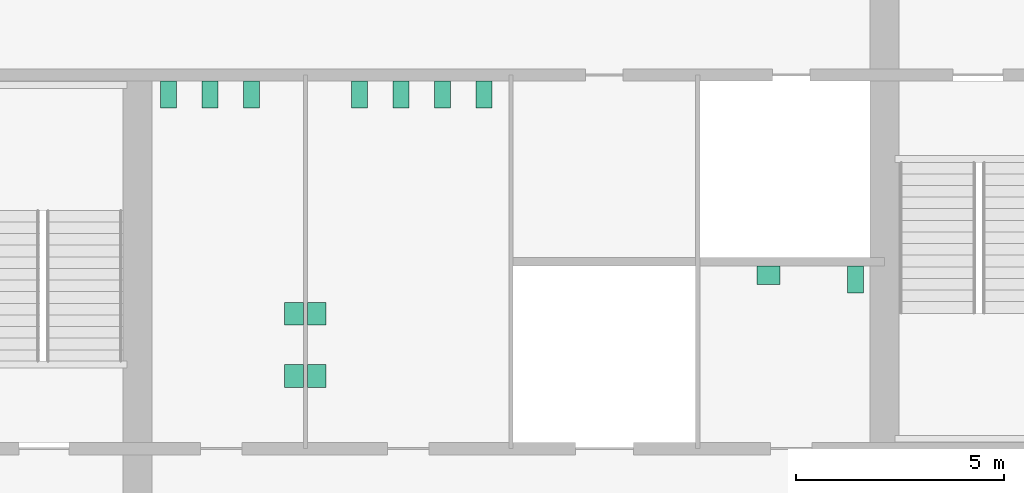
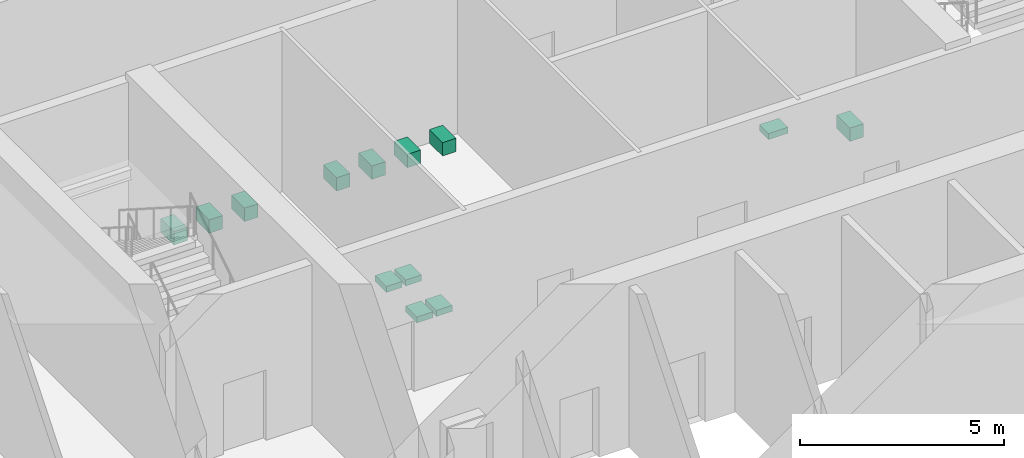
# One storey, part 14 of 14: 13 sanitary terminals.
"""IFC4 building model written with IfcOpenShell, lengths in metres."""

from ifc_helpers import new_model, si_unit, direction, frame, origin, origin_2d, place, context, subcontext, project, spatial, rectangle, extrude, material, type_object, element, save


model = new_model("IFC4")

# Units and contexts
model_context = context("Model", 3, precision=1e-05, world=origin(), true_north=direction((0.0, 1.0)))
body_context = subcontext(model_context, "Body", "Model", "MODEL_VIEW")
ifc_project = project(units=[si_unit("LENGTHUNIT", "METRE"), si_unit("AREAUNIT", "SQUARE_METRE"), si_unit("VOLUMEUNIT", "CUBIC_METRE"), si_unit("PLANEANGLEUNIT", "RADIAN"), si_unit("MASSUNIT", "GRAM", prefix="KILO")], contexts=[model_context])

# Site, building, storey
site_placement = place(None, origin())
site = spatial("IfcSite", under=ifc_project, at=site_placement, CompositionType="ELEMENT")
building_placement = place(site_placement, origin())
building = spatial("IfcBuilding", under=site, at=building_placement, Name="Corais Broadcast Tower", CompositionType="ELEMENT")
storey_placement = place(building_placement, frame((0.0, 0.0, 18.0)))
storey = spatial("IfcBuildingStorey", under=building, at=storey_placement, Name="L03", CompositionType="ELEMENT", Elevation=18.0)

# Sanitary terminals
ifc_material_1 = material(Name="Vitreous china", Category="ceramic")
sanitary_terminal_type_1 = type_object("IfcSanitaryTerminalType", Name="WC pan 380x650", PredefinedType="TOILETPAN", material=ifc_material_1)
for number, where, z_axis, x_axis, name in (
    (1, (18.75, 31.02490234375, 0.0), (0.0, 0.0, 1.0), (1.0, 0.0, 0.0), "SW1 WC pan, male toilets L03"),
    (2, (19.75, 31.02490234375, 0.0), (0.0, 0.0, 1.0), (1.0, 0.0, 0.0), "SW1 WC pan, male toilets L03"),
    (3, (20.75, 31.02490234375, 0.0), (0.0, 0.0, 1.0), (1.0, 0.0, 0.0), "SW1 WC pan, male toilets L03"),
    (4, (23.35009765625, 31.02490234375, 0.0), (0.0, 0.0, 1.0), (1.0, 0.0, 0.0), "SW1 WC pan, female toilets L03"),
    (5, (24.35009765625, 31.02490234375, 0.0), (0.0, 0.0, 1.0), (1.0, 0.0, 0.0), "SW1 WC pan, female toilets L03"),
    (6, (25.35009765625, 31.02490234375, 0.0), (0.0, 0.0, 1.0), (1.0, 0.0, 0.0), "SW1 WC pan, female toilets L03"),
    (7, (26.35009765625, 31.02490234375, 0.0), (0.0, 0.0, 1.0), (1.0, 0.0, 0.0), "SW1 WC pan, female toilets L03"),
    (8, (35.300048828125, 26.574951171875, 0.0), (0.0, 0.0, 1.0), (1.0, 0.0, 0.0), "SW1 WC pan, accessible WC L03"),
):
    element("IfcSanitaryTerminal", number, at=place(storey_placement, frame(where, z_axis=z_axis, x_axis=x_axis)), inside=storey, type_object=sanitary_terminal_type_1, Name=name, PredefinedType="TOILETPAN", context=body_context, shape_type="SweptSolid", body=[
        extrude(rectangle(XDim=0.3798828125, YDim=0.64990234375, at=origin_2d()), origin(), (0.0, 0.0, 1.0), 0.39990234375),
    ])
ifc_material_2 = material(Name="Vitreous china", Category="ceramic")
sanitary_terminal_type_2 = type_object("IfcSanitaryTerminalType", Name="Wash basin 550x450", PredefinedType="WASHHANDBASIN", material=ifc_material_2)
for number, where, z_axis, x_axis, name in (
    (9, (21.77490234375, 24.25, 0.7001953125), (0.0, 0.0, 1.0), (1.0, 0.0, 0.0), "WB1 wash basin, male toilets L03"),
    (10, (21.77490234375, 25.75, 0.7001953125), (0.0, 0.0, 1.0), (1.0, 0.0, 0.0), "WB1 wash basin, male toilets L03"),
    (11, (22.324951171875, 24.25, 0.7001953125), (0.0, 0.0, 1.0), (1.0, 0.0, 0.0), "WB1 wash basin, female toilets L03"),
    (12, (22.324951171875, 25.75, 0.7001953125), (0.0, 0.0, 1.0), (1.0, 0.0, 0.0), "WB1 wash basin, female toilets L03"),
):
    element("IfcSanitaryTerminal", number, at=place(storey_placement, frame(where, z_axis=z_axis, x_axis=x_axis)), inside=storey, type_object=sanitary_terminal_type_2, Name=name, PredefinedType="WASHHANDBASIN", context=body_context, shape_type="SweptSolid", body=[
        extrude(rectangle(XDim=0.449951171875, YDim=0.550048828125, at=origin_2d()), origin(), (0.0, 0.0, 1.0), 0.179931640625),
    ])
sanitary_terminal_placement = place(storey_placement, frame((33.199951171875, 26.675048828125, 0.7001953125), z_axis=(0.0, 0.0, 1.0), x_axis=(1.0, 0.0, 0.0)))
element("IfcSanitaryTerminal", 13, at=sanitary_terminal_placement, inside=storey, type_object=sanitary_terminal_type_2, Name="WB1 wash basin, accessible WC L03", PredefinedType="WASHHANDBASIN", context=body_context, shape_type="SweptSolid", body=[
    extrude(rectangle(XDim=0.550048828125, YDim=0.449951171875, at=origin_2d()), origin(), (0.0, 0.0, 1.0), 0.179931640625),
])

save(model, "model.ifc")
